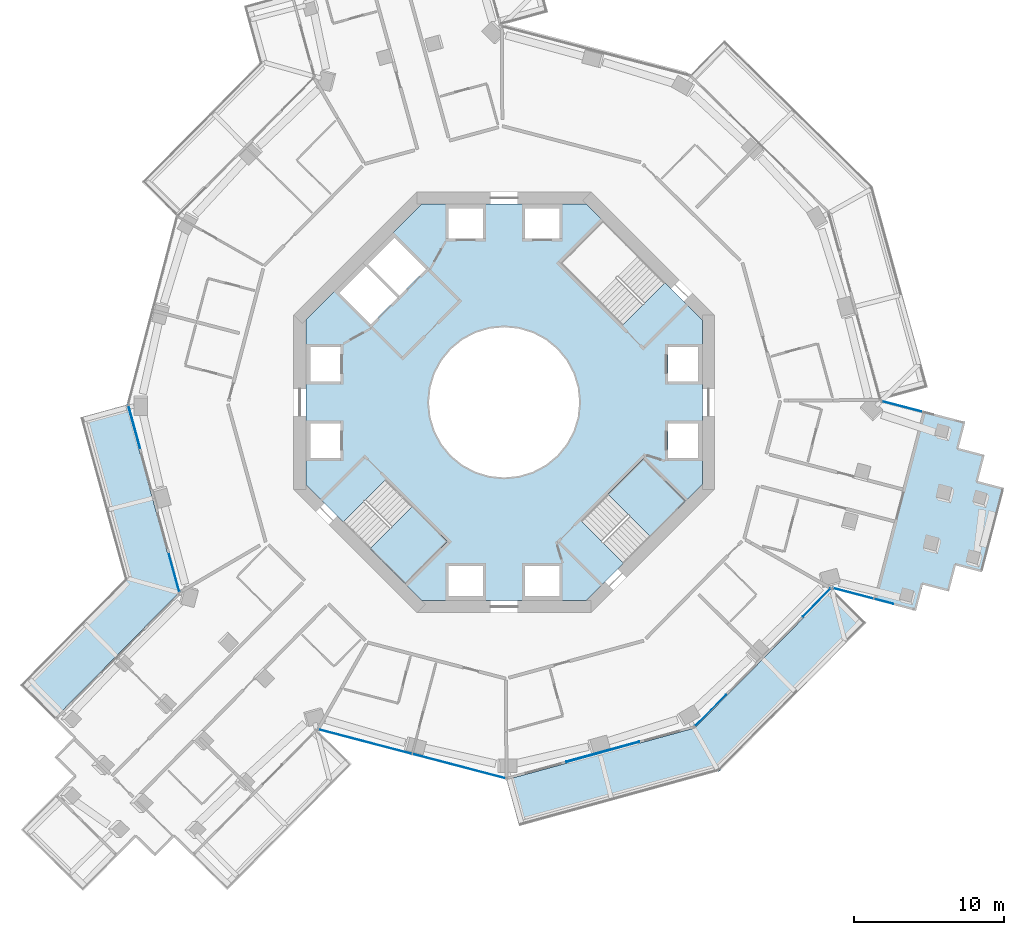
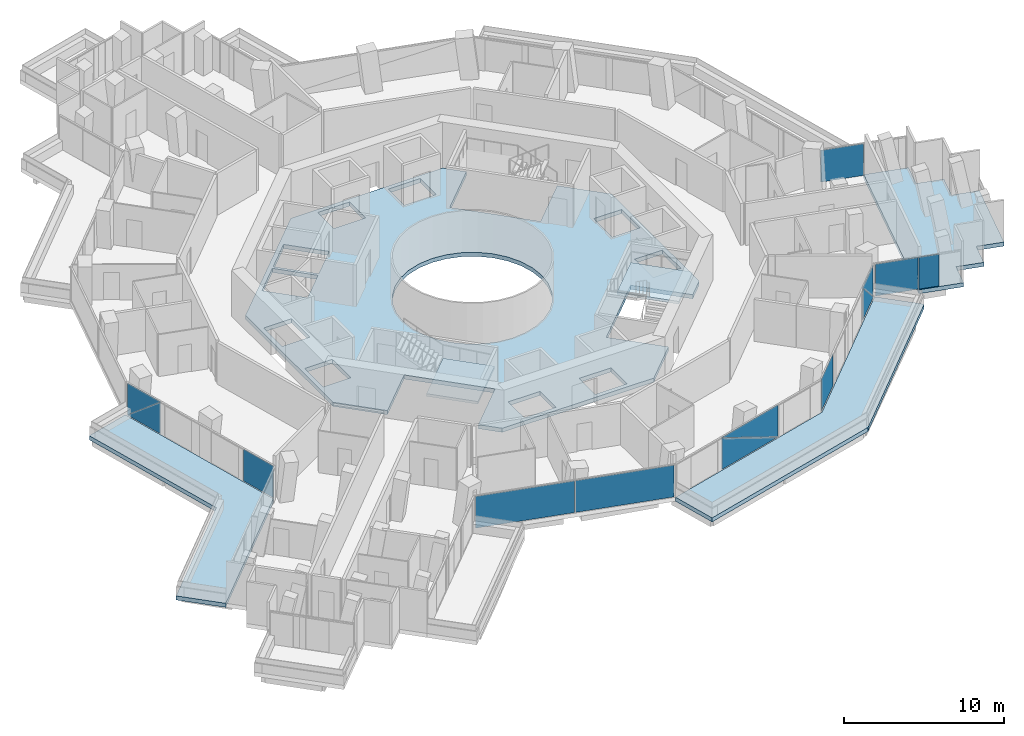
# One storey, part 13 of 26: 13 plates, 6 slabs, 8 elements without a shape of their own.
"""IFC4 building model written with IfcOpenShell, lengths in metres."""

from ifc_helpers import new_model, si_unit, direction, frame, origin, origin_2d, place, context, subcontext, project, spatial, polyline, rectangle, outline, extrude, material, layer, layer_set, type_object, element, aggregate, save


model = new_model("IFC4")

# Units and contexts
model_context = context("Model", 3, precision=1e-05, world=origin(), true_north=direction((0.0, 1.0)))
body_context = subcontext(model_context, "Body", "Model", "MODEL_VIEW")
ifc_project = project(units=[si_unit("LENGTHUNIT", "METRE"), si_unit("AREAUNIT", "SQUARE_METRE"), si_unit("VOLUMEUNIT", "CUBIC_METRE"), si_unit("PLANEANGLEUNIT", "RADIAN"), si_unit("MASSUNIT", "GRAM", prefix="KILO")], contexts=[model_context])

# Site, building, storey
site_placement = place(None, origin())
site = spatial("IfcSite", under=ifc_project, at=site_placement, CompositionType="ELEMENT")
building_placement = place(site_placement, origin())
building = spatial("IfcBuilding", under=site, at=building_placement, Name="Verdalira Terraces Hotel", CompositionType="ELEMENT")
storey_placement = place(building_placement, frame((0.0, 0.0, 96.5)))
storey = spatial("IfcBuildingStorey", under=building, at=storey_placement, Name="L22", CompositionType="ELEMENT", Elevation=96.5)

# Slabs
ifc_material_1 = material(Name="Precast concrete C40/50", Category="concrete")
ifc_layer_1 = layer(ifc_material_1, 0.31005859375)
ifc_layer_set_1 = layer_set([ifc_layer_1], Name="Balcony deck 310")
slab_type_1 = type_object("IfcSlabType", Name="Balcony deck 310", PredefinedType="FLOOR", material=ifc_layer_set_1)
slab_1_placement = place(storey_placement, frame((0.0, 0.0, -0.310059)))
element("IfcSlab", 1, at=slab_1_placement, inside=storey, type_object=slab_type_1, Name="Balcony deck", PredefinedType="FLOOR", context=body_context, shape_type="SweptSolid", body=[
    extrude(outline(polyline([(-25.245117, -11.759521), (-32.217529, -18.820068), (-29.940674, -21.068604), (-21.670166, -12.693359), (-25.113525, -0.157715), (-28.199219, -1.005371), (-25.245117, -11.759521)])), origin(), (0.0, 0.0, 1.0), 0.310059),
])
slab_2_placement = place(storey_placement, frame((0.0, 0.0, -0.310059)))
element("IfcSlab", 2, at=slab_2_placement, inside=storey, type_object=slab_type_1, Name="Balcony deck", PredefinedType="FLOOR", context=body_context, shape_type="SweptSolid", body=[
    extrude(outline(polyline([(24.104736, -14.668701), (21.827881, -12.420166), (12.693359, -21.670166), (0.157715, -25.113525), (1.005371, -28.199219), (14.36792, -24.528564), (24.104736, -14.668701)])), origin(), (0.0, 0.0, 1.0), 0.310059),
])

# Curtain wall, plates
ifc_material_2 = material(Name="Clear glass", Category="glass")
ifc_layer_2 = layer(ifc_material_2, 0.14990234375)
ifc_layer_set_2 = layer_set([ifc_layer_2], Name="CW1 curtain wall")
curtain_wall_type_1 = type_object("IfcCurtainWallType", Name="CW1 curtain wall", PredefinedType="NOTDEFINED", material=ifc_layer_set_2)
curtain_wall_1_placement = place(storey_placement, origin())
curtain_wall_1 = element("IfcCurtainWall", 3, at=curtain_wall_1_placement, inside=storey, type_object=curtain_wall_type_1, Name="CW1 curtain wall L22 edge 13", PredefinedType="NOTDEFINED")
ifc_material_3 = material(Name="Clear glass", Category="glass")
ifc_layer_3 = layer(ifc_material_3, 0.028076171875)
ifc_layer_set_3 = layer_set([ifc_layer_3], Name="CW1 glass unit 28")
plate_type_1 = type_object("IfcPlateType", Name="CW1 glass unit 28", PredefinedType="CURTAIN_PANEL", material=ifc_layer_set_3)
plate_1_placement = place(storey_placement, frame((-24.614014, -1.641113, 1.212402), z_axis=(-0.964280562, -0.264882987, 0.0), x_axis=(0.264882987, -0.964280562, 0.0)))
plate_1 = element("IfcPlate", 4, at=plate_1_placement, type_object=plate_type_1, Name="CW1 glass unit", PredefinedType="CURTAIN_PANEL", context=body_context, shape_type="SweptSolid", body=[
    extrude(outline(polyline([(-1.462402, -1.212402), (1.462402, -1.212402), (1.462402, 1.212402), (-1.462402, -1.212402)])), origin(), (0.0, 0.0, 1.0), 0.028076),
])
plate_2_placement = place(storey_placement, frame((-24.585938, -1.633301, 1.212402), z_axis=(-0.964280562, -0.264882987, 0.0), x_axis=(0.264882987, -0.964280562, 0.0)))
plate_2 = element("IfcPlate", 5, at=plate_2_placement, type_object=plate_type_1, Name="CW1 glass unit", PredefinedType="CURTAIN_PANEL", context=body_context, shape_type="SweptSolid", body=[
    extrude(outline(polyline([(-1.462402, -1.212402), (1.462402, 1.212402), (-1.462402, 1.212402), (-1.462402, -1.212402)])), origin(), (0.0, 0.0, 1.0), 0.028076),
])
plate_3_placement = place(storey_placement, frame((-21.958496, -11.360107, 0.0), z_axis=(0.0, 0.0, 1.0), x_axis=(0.264882987, -0.964280562, 0.0)))
plate_3 = element("IfcPlate", 6, at=plate_3_placement, type_object=plate_type_1, Name="CW1 glass unit", PredefinedType="CURTAIN_PANEL", context=body_context, shape_type="SweptSolid", body=[
    extrude(rectangle(XDim=2.604492, YDim=0.028076, at=origin_2d()), origin(), (0.0, 0.0, 1.0), 2.425049),
])
aggregate(curtain_wall_1, [plate_1, plate_2, plate_3])

curtain_wall_2_placement = place(storey_placement, origin())
curtain_wall_2 = element("IfcCurtainWall", 7, at=curtain_wall_2_placement, inside=storey, type_object=curtain_wall_type_1, Name="CW1 curtain wall L22 edge 25", PredefinedType="NOTDEFINED")
plate_4_placement = place(storey_placement, frame((-9.242188, -22.580566, 0.0), z_axis=(0.0, 0.0, 1.0), x_axis=(0.967532957, -0.252744885, 0.0)))
plate_4 = element("IfcPlate", 8, at=plate_4_placement, type_object=plate_type_1, Name="CW1 glass unit", PredefinedType="CURTAIN_PANEL", context=body_context, shape_type="SweptSolid", body=[
    extrude(rectangle(XDim=6.409912, YDim=0.028076, at=origin_2d()), origin(), (0.0, 0.0, 1.0), 2.425049),
])
plate_5_placement = place(storey_placement, frame((-3.001709, -24.210693, 0.0), z_axis=(0.0, 0.0, 1.0), x_axis=(0.967532957, -0.252744885, 0.0)))
plate_5 = element("IfcPlate", 9, at=plate_5_placement, type_object=plate_type_1, Name="CW1 glass unit", PredefinedType="CURTAIN_PANEL", context=body_context, shape_type="SweptSolid", body=[
    extrude(rectangle(XDim=6.369873, YDim=0.028076, at=origin_2d()), origin(), (0.0, 0.0, 1.0), 2.425049),
])
aggregate(curtain_wall_2, [plate_4, plate_5])

curtain_wall_3_placement = place(storey_placement, origin())
curtain_wall_3 = element("IfcCurtainWall", 10, at=curtain_wall_3_placement, inside=storey, type_object=curtain_wall_type_1, Name="CW1 curtain wall L22 edge 26", PredefinedType="NOTDEFINED")
plate_6_placement = place(storey_placement, frame((6.574463, -23.258789, 1.212402), z_axis=(0.264882987, -0.964280562, 0.0), x_axis=(0.964280562, 0.264882987, 0.0)))
plate_6 = element("IfcPlate", 11, at=plate_6_placement, type_object=plate_type_1, Name="CW1 glass unit", PredefinedType="CURTAIN_PANEL", context=body_context, shape_type="SweptSolid", body=[
    extrude(outline(polyline([(-2.510742, -1.212402), (2.510742, -1.212402), (-2.510742, 1.212402), (-2.510742, -1.212402)])), origin(), (0.0, 0.0, 1.0), 0.028076),
])
plate_7_placement = place(storey_placement, frame((6.56665, -23.230713, 1.212402), z_axis=(0.264882987, -0.964280562, 0.0), x_axis=(0.964280562, 0.264882987, 0.0)))
plate_7 = element("IfcPlate", 12, at=plate_7_placement, type_object=plate_type_1, Name="CW1 glass unit", PredefinedType="CURTAIN_PANEL", context=body_context, shape_type="SweptSolid", body=[
    extrude(outline(polyline([(2.510742, -1.212402), (2.510742, 1.212402), (-2.510742, 1.212402), (2.510742, -1.212402)])), origin(), (0.0, 0.0, 1.0), 0.028076),
])
aggregate(curtain_wall_3, [plate_6, plate_7])

curtain_wall_4_placement = place(storey_placement, origin())
curtain_wall_4 = element("IfcCurtainWall", 13, at=curtain_wall_4_placement, inside=storey, type_object=curtain_wall_type_1, Name="CW1 curtain wall L22 edge 27", PredefinedType="NOTDEFINED")
plate_8_placement = place(storey_placement, frame((13.738037, -20.505615, 0.0), z_axis=(0.0, 0.0, 1.0), x_axis=(0.70264997, 0.711535677, 0.0)))
plate_8 = element("IfcPlate", 14, at=plate_8_placement, type_object=plate_type_1, Name="CW1 glass unit", PredefinedType="CURTAIN_PANEL", context=body_context, shape_type="SweptSolid", body=[
    extrude(rectangle(XDim=2.924805, YDim=0.028076, at=origin_2d()), origin(), (0.0, 0.0, 1.0), 2.425049),
])
plate_9_placement = place(storey_placement, frame((20.807373, -13.326904, 1.212402), z_axis=(0.711535677, -0.70264997, 0.0), x_axis=(0.70264997, 0.711535677, 0.0)))
plate_9 = element("IfcPlate", 15, at=plate_9_placement, type_object=plate_type_1, Name="CW1 glass unit", PredefinedType="CURTAIN_PANEL", context=body_context, shape_type="SweptSolid", body=[
    extrude(outline(polyline([(-1.302246, -1.212402), (1.302246, -1.212402), (-1.302246, 1.212402), (-1.302246, -1.212402)])), origin(), (0.0, 0.0, 1.0), 0.028076),
])
plate_10_placement = place(storey_placement, frame((20.786621, -13.306396, 1.212402), z_axis=(0.711535677, -0.70264997, 0.0), x_axis=(0.70264997, 0.711535677, 0.0)))
plate_10 = element("IfcPlate", 16, at=plate_10_placement, type_object=plate_type_1, Name="CW1 glass unit", PredefinedType="CURTAIN_PANEL", context=body_context, shape_type="SweptSolid", body=[
    extrude(outline(polyline([(1.302246, -1.212402), (1.302246, 1.212402), (-1.302246, 1.212402), (1.302246, -1.212402)])), origin(), (0.0, 0.0, 1.0), 0.028076),
])
aggregate(curtain_wall_4, [plate_8, plate_9, plate_10])

ifc_material_4 = material(Name="Clear glass", Category="glass")
ifc_layer_4 = layer(ifc_material_4, 0.14990234375)
ifc_layer_set_4 = layer_set([ifc_layer_4], Name="CW2 curtain wall")
curtain_wall_type_2 = type_object("IfcCurtainWallType", Name="CW2 curtain wall", PredefinedType="NOTDEFINED", material=ifc_layer_set_4)
curtain_wall_5_placement = place(storey_placement, origin())
curtain_wall_5 = element("IfcCurtainWall", 17, at=curtain_wall_5_placement, inside=storey, type_object=curtain_wall_type_2, Name="CW2 curtain wall L22 edge 28", PredefinedType="NOTDEFINED")
ifc_material_5 = material(Name="Clear glass", Category="glass")
ifc_layer_5 = layer(ifc_material_5, 0.031982421875)
ifc_layer_set_5 = layer_set([ifc_layer_5], Name="CW2 glass unit 32")
plate_type_2 = type_object("IfcPlateType", Name="CW2 glass unit 32", PredefinedType="CURTAIN_PANEL", material=ifc_layer_set_5)
plate_11_placement = place(storey_placement, frame((23.242676, -12.712158, 0.0), z_axis=(0.0, 0.0, 1.0), x_axis=(0.967532957, -0.252744885, 0.0)))
plate_11 = element("IfcPlate", 18, at=plate_11_placement, type_object=plate_type_2, Name="CW2 glass unit", PredefinedType="CURTAIN_PANEL", context=body_context, shape_type="SweptSolid", body=[
    extrude(rectangle(XDim=2.745361, YDim=0.031982, at=origin_2d()), origin(), (0.0, 0.0, 1.0), 2.425049),
])
plate_12_placement = place(storey_placement, frame((25.266113, -13.240723, 0.0), z_axis=(0.0, 0.0, 1.0), x_axis=(0.967532957, -0.252744885, 0.0)))
plate_12 = element("IfcPlate", 19, at=plate_12_placement, type_object=plate_type_2, Name="CW2 glass unit", PredefinedType="CURTAIN_PANEL", context=body_context, shape_type="SweptSolid", body=[
    extrude(rectangle(XDim=1.297363, YDim=0.031982, at=origin_2d()), origin(), (0.0, 0.0, 1.0), 2.425049),
])
aggregate(curtain_wall_5, [plate_11, plate_12])

# Curtain wall, plate
curtain_wall_6_placement = place(storey_placement, origin())
curtain_wall_6 = element("IfcCurtainWall", 20, at=curtain_wall_6_placement, inside=storey, type_object=curtain_wall_type_2, Name="CW2 curtain wall L22 edge 38", PredefinedType="NOTDEFINED")
plate_13_placement = place(storey_placement, frame((26.490479, -0.279297, 0.0), z_axis=(0.0, 0.0, 1.0), x_axis=(-0.967532957, 0.252744885, 0.0)))
plate_13 = element("IfcPlate", 21, at=plate_13_placement, type_object=plate_type_2, Name="CW2 glass unit", PredefinedType="CURTAIN_PANEL", context=body_context, shape_type="SweptSolid", body=[
    extrude(rectangle(XDim=2.745361, YDim=0.031982, at=origin_2d()), origin(), (0.0, 0.0, 1.0), 2.425049),
])
aggregate(curtain_wall_6, [plate_13])

# Slab
ifc_material_6 = material(Name="Concrete C40", Category="concrete")
ifc_layer_6 = layer(ifc_material_6, 0.31005859375)
ifc_layer_set_6 = layer_set([ifc_layer_6], Name="Core floor slab 310 mm")
slab_type_2 = type_object("IfcSlabType", Name="Core floor slab 310 mm", PredefinedType="FLOOR", material=ifc_layer_set_6)
slab_3_placement = place(storey_placement, frame((0.0, 0.0, -0.310059)))
element("IfcSlab", 22, at=slab_3_placement, inside=storey, type_object=slab_type_2, Name="L22 core floor", PredefinedType="FLOOR", context=body_context, shape_type="SweptSolid", body=[
    extrude(outline(polyline([(-5.467529, 13.199951), (5.467529, 13.199951), (6.562012, 12.105713), (3.719482, 9.263184), (7.869629, 5.112793), (10.712402, 7.955322), (13.199951, 5.467529), (13.199951, -5.467529), (12.105713, -6.562012), (9.263184, -3.719482), (5.112793, -7.869629), (7.955322, -10.712402), (5.467529, -13.199951), (-5.467529, -13.199951), (-6.562012, -12.105713), (-3.719482, -9.263184), (-7.869629, -5.112793), (-10.712402, -7.955322), (-13.199951, -5.467529), (-13.199951, 5.467529), (-5.467529, 13.199951)]), holes=[polyline([(12.899902, -3.699951), (12.899902, -1.399902), (10.899902, -1.399902), (10.899902, -3.699951), (12.899902, -3.699951)]), polyline([(12.899902, 1.399902), (12.899902, 3.699951), (10.899902, 3.699951), (10.899902, 1.399902), (12.899902, 1.399902)]), polyline([(1.399902, 10.899902), (3.699951, 10.899902), (3.699951, 12.899902), (1.399902, 12.899902), (1.399902, 10.899902)]), polyline([(-3.699951, 10.899902), (-1.399902, 10.899902), (-1.399902, 12.899902), (-3.699951, 12.899902), (-3.699951, 10.899902)]), polyline([(-12.899902, 3.699951), (-12.899902, 1.399902), (-10.899902, 1.399902), (-10.899902, 3.699951), (-12.899902, 3.699951)]), polyline([(-12.899902, -1.399902), (-12.899902, -3.699951), (-10.899902, -3.699951), (-10.899902, -1.399902), (-12.899902, -1.399902)]), polyline([(-1.399902, -10.899902), (-3.699951, -10.899902), (-3.699951, -12.899902), (-1.399902, -12.899902), (-1.399902, -10.899902)]), polyline([(3.699951, -10.899902), (1.399902, -10.899902), (1.399902, -12.899902), (3.699951, -12.899902), (3.699951, -10.899902)]), polyline([(-9.051025, 9.192383), (-6.965088, 7.106445), (-5.197266, 8.874268), (-7.283203, 10.960205), (-9.051025, 9.192383)]), polyline([(-9.192383, 9.051025), (-10.960205, 7.283203), (-8.874268, 5.197266), (-7.106445, 6.965088), (-9.192383, 9.051025)]), polyline([(3.5354, 3.5354), (2.777832, 4.157227), (1.91333, 4.619385), (0.975586, 4.903809), (0.0, 5.0), (-0.975586, 4.903809), (-1.91333, 4.619385), (-2.777832, 4.157227), (-3.5354, 3.5354), (-4.157227, 2.777832), (-4.619385, 1.91333), (-4.903809, 0.975586), (-5.0, 0.0), (-4.903809, -0.975586), (-4.619385, -1.91333), (-4.157227, -2.777832), (-3.5354, -3.5354), (-2.777832, -4.157227), (-1.91333, -4.619385), (-0.975586, -4.903809), (0.0, -5.0), (0.975586, -4.903809), (1.91333, -4.619385), (2.777832, -4.157227), (3.5354, -3.5354), (4.157227, -2.777832), (4.619385, -1.91333), (4.903809, -0.975586), (5.0, 0.0), (4.903809, 0.975586), (4.619385, 1.91333), (4.157227, 2.777832), (3.5354, 3.5354)])]), origin(), (0.0, 0.0, 1.0), 0.310059),
])

# Stair, slab
ifc_material_7 = material(Name="Concrete C40", Category="concrete")
stair_type = type_object("IfcStairType", Name="Core stair 20 risers 1950 mm wide", PredefinedType="HALF_TURN_STAIR", material=ifc_material_7)
stair_1_placement = place(storey_placement, origin())
stair_1 = element("IfcStair", 23, at=stair_1_placement, inside=storey, type_object=stair_type, Name="L22 Exit stair ST2", PredefinedType="HALF_TURN_STAIR")
ifc_material_8 = material(Name="Concrete C40", Category="concrete")
ifc_layer_7 = layer(ifc_material_8, 0.199951171875)
ifc_layer_set_7 = layer_set([ifc_layer_7], Name="Core stair landing 200 mm")
slab_type_3 = type_object("IfcSlabType", Name="Core stair landing 200 mm", PredefinedType="LANDING", material=ifc_layer_set_7)
slab_4_placement = place(storey_placement, frame((0.0, 0.0, 1.550049)))
slab_4 = element("IfcSlab", 24, at=slab_4_placement, type_object=slab_type_3, Name="ST2 landing 1", PredefinedType="LANDING", context=body_context, shape_type="SweptSolid", body=[
    extrude(outline(polyline([(-8.931152, -9.736572), (-6.576172, -12.091553), (-3.747559, -9.263184), (-6.102783, -6.907959), (-8.931152, -9.736572)])), origin(), (0.0, 0.0, 1.0), 0.199951),
])
aggregate(stair_1, [slab_4])

stair_2_placement = place(storey_placement, origin())
stair_2 = element("IfcStair", 25, at=stair_2_placement, inside=storey, type_object=stair_type, Name="L22 Exit stair ST3", PredefinedType="HALF_TURN_STAIR")
slab_5_placement = place(storey_placement, frame((0.0, 0.0, 1.550049)))
slab_5 = element("IfcSlab", 26, at=slab_5_placement, type_object=slab_type_3, Name="ST3 landing 1", PredefinedType="LANDING", context=body_context, shape_type="SweptSolid", body=[
    extrude(outline(polyline([(9.736572, -8.931152), (12.091553, -6.576172), (9.263184, -3.747559), (6.907959, -6.102783), (9.736572, -8.931152)])), origin(), (0.0, 0.0, 1.0), 0.199951),
])
aggregate(stair_2, [slab_5])

# Slab
ifc_material_9 = material(Name="Concrete C40", Category="concrete")
ifc_layer_8 = layer(ifc_material_9, 0.31005859375)
ifc_layer_set_8 = layer_set([ifc_layer_8], Name="Loggia floor deck 310 C40")
slab_type_4 = type_object("IfcSlabType", Name="Loggia floor deck 310 C40", PredefinedType="FLOOR", material=ifc_layer_set_8)
slab_6_placement = place(storey_placement, frame((0.0, 0.0, -0.310059)))
element("IfcSlab", 27, at=slab_6_placement, inside=storey, type_object=slab_type_4, Name="Loggia deck L22", PredefinedType="FLOOR", context=body_context, shape_type="SweptSolid", body=[
    extrude(outline(polyline([(30.696533, -1.300537), (27.890869, -0.567627), (24.60498, -13.145508), (27.410889, -13.878662), (27.865967, -12.136963), (29.607422, -12.591797), (30.0625, -10.850342), (31.803955, -11.30542), (33.269775, -5.693604), (31.52832, -5.23877), (31.983154, -3.49707), (30.241699, -3.042236), (30.696533, -1.300537)])), origin(), (0.0, 0.0, 1.0), 0.310059),
])

save(model, "model.ifc")
